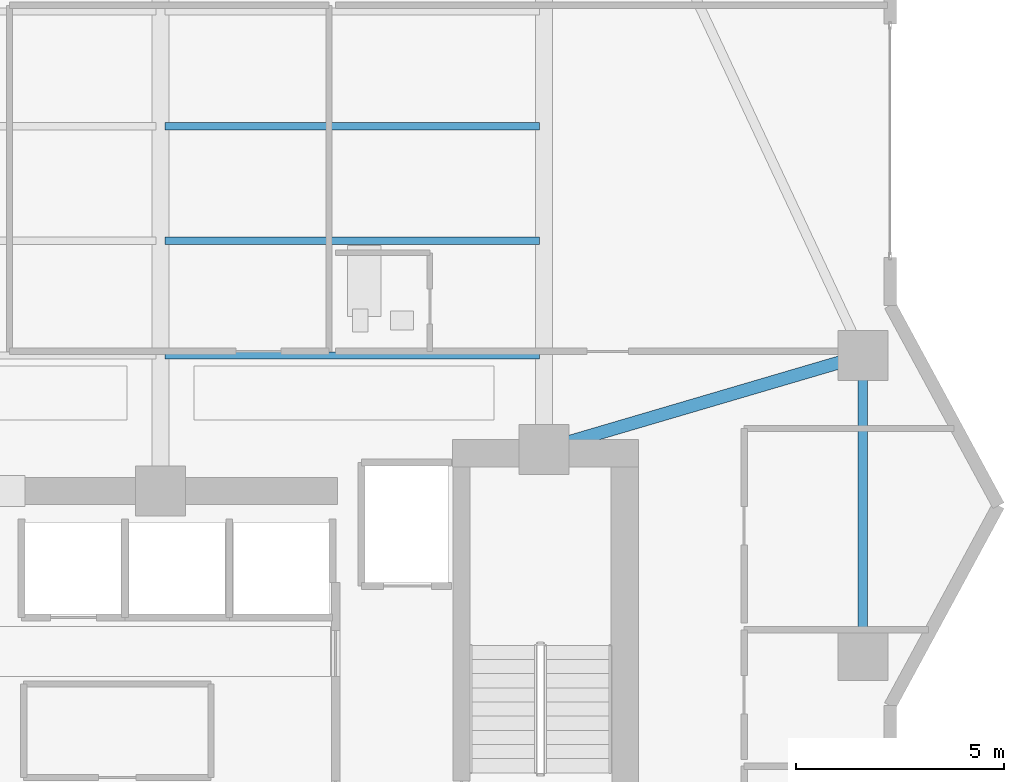
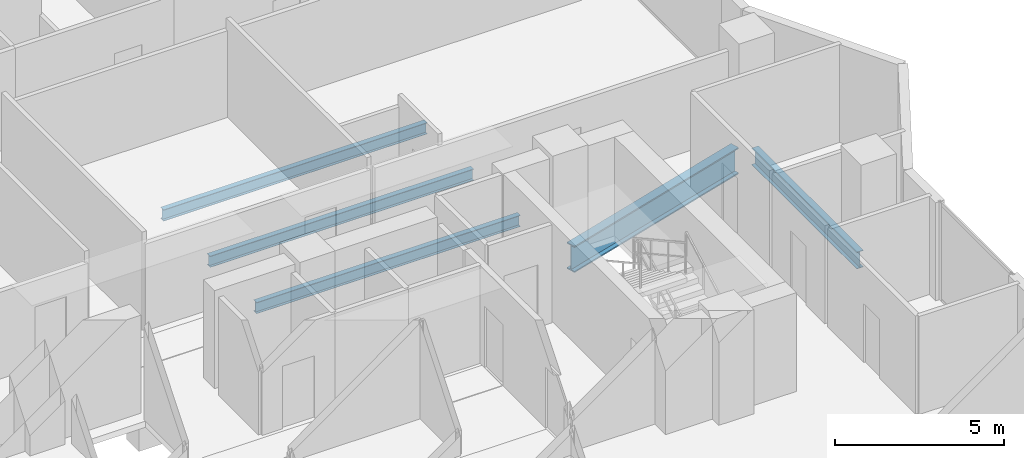
# One storey, part 15 of 32: 5 beams.
"""IFC4 building model written with IfcOpenShell, lengths in metres."""

import ifcopenshell
import ifcopenshell.guid

model = None  # the IFC model being written
_history = None  # IfcOwnerHistory: only IFC2X3 demands one
_inside = {}  # id of a spatial element -> (the spatial element, [elements in it])
_under = {}  # id of a project, library or spatial element -> (it, [spatial elements below it])
_declared = {}  # id of a project -> (the project, [libraries it declares])
_typed = {}  # id of a type object -> (the type object, [elements of that type])
_made_of = {}  # id of a material, layer set ... -> (it, [elements and type objects made of it])


def new_model(schema):
    """Start an empty IFC model of exactly this schema.

    Asked for "IFC4X3", IfcOpenShell would pick the latest addendum, in which some entities
    have other attributes; the version numbers below select the first issue.
    IFC2X3 requires an IfcOwnerHistory on every rooted entity: one is made here for all.
    """
    global model, _history
    if schema == "IFC4X3":
        model = ifcopenshell.file(schema_version=(4, 3, 0, 0))
    else:
        model = ifcopenshell.file(schema=schema)
    _inside.clear()
    _under.clear()
    _declared.clear()
    _typed.clear()
    _made_of.clear()
    _history = None
    if model.schema == "IFC2X3":
        org = make("IfcOrganization", Name="unknown")
        user = make(
            "IfcPersonAndOrganization",
            ThePerson=make("IfcPerson", FamilyName="unknown"),
            TheOrganization=org,
        )
        app = make(
            "IfcApplication",
            ApplicationDeveloper=org,
            Version="unknown",
            ApplicationFullName="unknown",
            ApplicationIdentifier="unknown",
        )
        _history = make(
            "IfcOwnerHistory",
            OwningUser=user,
            OwningApplication=app,
            ChangeAction="ADDED",
            CreationDate=0,
        )
    return model


def make(cls, **values):
    """One entity of the class cls with the attributes given. An attribute that is None is left unset."""
    return model.create_entity(
        cls, **{name: value for name, value in values.items() if value is not None}
    )


def rooted(cls, **values):
    """An entity with a GlobalId (a new one), such as an element, a storey or a relation."""
    return make(cls, GlobalId=ifcopenshell.guid.new(), OwnerHistory=_history, **values)


def si_unit(unit_type, name, prefix=None):
    """IfcSIUnit, for example si_unit("LENGTHUNIT", "METRE", prefix="MILLI")."""
    return make("IfcSIUnit", UnitType=unit_type, Prefix=prefix, Name=name)


def assignment(units):
    """IfcUnitAssignment: the units of a project."""
    return None if units is None else make("IfcUnitAssignment", Units=units)


def point(xyz):
    """IfcCartesianPoint."""
    return None if xyz is None else make("IfcCartesianPoint", Coordinates=xyz)


def direction(xyz):
    """IfcDirection."""
    return None if xyz is None else make("IfcDirection", DirectionRatios=xyz)


def frame(location, z_axis=None, x_axis=None):
    """IfcAxis2Placement3D, a coordinate frame: its origin and axes. An axis left out is left unset."""
    return make(
        "IfcAxis2Placement3D",
        Location=point(location),
        Axis=direction(z_axis),
        RefDirection=direction(x_axis),
    )


def frame_2d(location, x_axis=None):
    """IfcAxis2Placement2D, a coordinate frame in the plane: its origin and x axis."""
    return make(
        "IfcAxis2Placement2D", Location=point(location), RefDirection=direction(x_axis)
    )


def origin():
    """The frame at (0, 0, 0) with its axes left unset."""
    return frame((0.0, 0.0, 0.0))


def origin_2d():
    """The frame at (0, 0) in the plane with its x axis left unset."""
    return frame_2d((0.0, 0.0))


def place(relative_to, where):
    """IfcLocalPlacement: puts the frame where relative to a parent placement (None: the world)."""
    return make(
        "IfcLocalPlacement", PlacementRelTo=relative_to, RelativePlacement=where
    )


def context(
    kind, dimensions, precision=None, world=None, true_north=None, identifier=None
):
    """IfcGeometricRepresentationContext, for example the 3D "Model" context."""
    return make(
        "IfcGeometricRepresentationContext",
        ContextIdentifier=identifier,
        ContextType=kind,
        CoordinateSpaceDimension=dimensions,
        Precision=precision,
        WorldCoordinateSystem=world,
        TrueNorth=true_north,
    )


def subcontext(parent, identifier, kind, view, scale=None):
    """IfcGeometricRepresentationSubContext, for example "Body" below "Model"."""
    return make(
        "IfcGeometricRepresentationSubContext",
        ContextIdentifier=identifier,
        ContextType=kind,
        ParentContext=parent,
        TargetScale=scale,
        TargetView=view,
    )


def project(units=None, contexts=None):
    """IfcProject with its units and contexts."""
    return rooted(
        "IfcProject",
        Name="project",
        RepresentationContexts=contexts,
        UnitsInContext=assignment(units),
    )


def spatial(cls, under=None, at=None, **own):
    """A site, building, storey or space (cls), placed at a placement, below another one or the project."""
    s = rooted(cls, ObjectPlacement=at, **own)
    if under is not None:
        _under.setdefault(under.id(), (under, []))[1].append(s)
    return s


def profile(cls, at=None, kind="AREA", **sizes):
    """A parametric profile (cls). Its sizes go by their IFC names, for example OverallWidth=200.0."""
    return make(cls, ProfileType=kind, Position=at, **sizes)


def i_section(**sizes):
    """IfcIShapeProfileDef."""
    return profile("IfcIShapeProfileDef", **sizes)


def extrude(swept, where, along, depth):
    """IfcExtrudedAreaSolid: the profile swept, set in the frame where, extruded along a direction by depth."""
    return make(
        "IfcExtrudedAreaSolid",
        SweptArea=swept,
        Position=where,
        ExtrudedDirection=direction(along),
        Depth=depth,
    )


def shape(context_of_items, identifier, shape_type, items):
    """IfcShapeRepresentation: the items that make up one representation, for example the "Body"."""
    return make(
        "IfcShapeRepresentation",
        ContextOfItems=context_of_items,
        RepresentationIdentifier=identifier,
        RepresentationType=shape_type,
        Items=items,
    )


def material(Name=None, Category=None):
    """IfcMaterial."""
    return make("IfcMaterial", Name=Name, Category=Category)


def material_profile(
    of_material, cross_section, Name=None, Category=None, Priority=None
):
    """IfcMaterialProfile: a cross section and its material."""
    return make(
        "IfcMaterialProfile",
        Name=Name,
        Material=of_material,
        Profile=cross_section,
        Priority=Priority,
        Category=Category,
    )


def profile_set(profiles, Name=None, composite=None):
    """IfcMaterialProfileSet."""
    return make(
        "IfcMaterialProfileSet",
        Name=Name,
        MaterialProfiles=profiles,
        CompositeProfile=composite,
    )


def made_of(thing, what):
    """Note that an element or type object is made of a material, layer set ...; save() writes the relation."""
    if what is not None:
        _made_of.setdefault(what.id(), (what, []))[1].append(thing)
    return thing


def type_object(cls, material=None, **own):
    """A type object (cls), such as IfcWallType, which elements share."""
    return made_of(rooted(cls, **own), material)


def element(
    cls,
    number,
    at=None,
    inside=None,
    cuts=None,
    type_object=None,
    material=None,
    context=None,
    identifier="Body",
    shape_type=None,
    held_by="IfcProductDefinitionShape",
    body=None,
    shapes=None,
    **own,
):
    """One element of the class cls, such as IfcWall. Its Tag is "e" and its number.

    at: its placement. inside: the storey or other place that contains it. cuts: it is an
    opening in that element (IfcRelVoidsElement). A single representation is given by context,
    identifier, shape_type and body (its items); several are given by shapes. held_by: the class
    of the entity that holds the representations. save() writes the other relations.
    """
    e = rooted(cls, Tag="e%d" % number, ObjectPlacement=at, **own)
    if body is not None:
        shapes = [shape(context, identifier, shape_type, body)]
    if shapes is not None:
        e.Representation = make(held_by, Representations=shapes)
    if inside is not None:
        _inside.setdefault(inside.id(), (inside, []))[1].append(e)
    if cuts is not None:
        rooted(
            "IfcRelVoidsElement", RelatingBuildingElement=cuts, RelatedOpeningElement=e
        )
    if type_object is not None:
        _typed.setdefault(type_object.id(), (type_object, []))[1].append(e)
    return made_of(e, material)


def aggregate(whole, parts):
    """IfcRelAggregates: a whole, such as a stair, and the parts it consists of."""
    return rooted("IfcRelAggregates", RelatingObject=whole, RelatedObjects=parts)


def save(model, path):
    """Write the relations noted so far, then the file.

    IfcRelAggregates (storeys below a building ...), IfcRelContainedInSpatialStructure (elements
    in a storey), IfcRelDefinesByType, IfcRelAssociatesMaterial and IfcRelDeclares: one each for
    every whole, place, type object, material and project.
    """
    for whole, parts in _under.values():
        aggregate(whole, parts)
    for where, things in _inside.values():
        rooted(
            "IfcRelContainedInSpatialStructure",
            RelatedElements=things,
            RelatingStructure=where,
        )
    for kind, things in _typed.values():
        rooted("IfcRelDefinesByType", RelatedObjects=things, RelatingType=kind)
    for what, things in _made_of.values():
        rooted("IfcRelAssociatesMaterial", RelatedObjects=things, RelatingMaterial=what)
    for by, libraries in _declared.values():
        rooted("IfcRelDeclares", RelatingContext=by, RelatedDefinitions=libraries)
    model.write(path)


model = new_model("IFC4")

# Units and contexts
model_context = context("Model", 3, precision=1e-05, world=origin(), true_north=direction((0.0, 1.0)))
body_context = subcontext(model_context, "Body", "Model", "MODEL_VIEW")
ifc_project = project(units=[si_unit("LENGTHUNIT", "METRE"), si_unit("AREAUNIT", "SQUARE_METRE"), si_unit("VOLUMEUNIT", "CUBIC_METRE"), si_unit("PLANEANGLEUNIT", "RADIAN"), si_unit("MASSUNIT", "GRAM", prefix="KILO")], contexts=[model_context])

# Site, building, storey
site_placement = place(None, origin())
site = spatial("IfcSite", under=ifc_project, at=site_placement, CompositionType="ELEMENT")
building_placement = place(site_placement, origin())
building = spatial("IfcBuilding", under=site, at=building_placement, Name="Zuhayl Quay Hotel", CompositionType="ELEMENT")
storey_placement = place(building_placement, frame((0.0, 0.0, 203.64990234375)))
storey = spatial("IfcBuildingStorey", under=building, at=storey_placement, Name="L51", CompositionType="ELEMENT", Elevation=203.64990234375)

# Beams
ifc_material = material(Name="Steel ASTM A992 Grade 50", Category="steel")
ifc_material_profile_1 = material_profile(ifc_material, i_section(OverallWidth=0.22802734375, OverallDepth=0.60693359375, WebThickness=0.01123046875, FlangeThickness=0.017333984375, at=origin_2d()), Name="W24X76")
ifc_profile_set_1 = profile_set([ifc_material_profile_1], Name="Steel ASTM A992 Grade 50")
beam_type_1 = type_object("IfcBeamType", Name="BM_B3_W24X76", PredefinedType="BEAM", material=ifc_profile_set_1)
beam_1_placement = place(storey_placement, frame((21.449951171875, 9.89990234375, -0.5234375), z_axis=(0.0, 1.0, 0.0), x_axis=(-1.0, 0.0, 0.0)))
element("IfcBeam", 1, at=beam_1_placement, inside=storey, type_object=beam_type_1, Name="L51 Floor Beam RG_L51_05", PredefinedType="BEAM", context=body_context, shape_type="SweptSolid", body=[
    extrude(i_section(OverallWidth=0.22802734375, OverallDepth=0.60693359375, WebThickness=0.01123046875, FlangeThickness=0.017333984375, at=origin_2d()), origin(), (0.0, 0.0, 1.0), 6.2001953125),
])
ifc_material_profile_2 = material_profile(ifc_material, i_section(OverallWidth=0.177978515625, OverallDepth=0.406005859375, WebThickness=0.0078125, FlangeThickness=0.0126953125, at=origin_2d()), Name="W16X40")
ifc_profile_set_2 = profile_set([ifc_material_profile_2], Name="Steel ASTM A992 Grade 50")
beam_type_2 = type_object("IfcBeamType", Name="BM_J2B_W16X40", PredefinedType="JOIST", material=ifc_profile_set_2)
for number, where, z_axis, x_axis, name in (
    (2, (4.7060546875, 16.60009765625, -0.4228515625), (1.0, 0.0, 0.0), (0.0, 1.0, 0.0), "L51 Floor Beam FJ_L51_1_3"),
    (3, (4.7060546875, 19.35009765625, -0.4228515625), (1.0, 0.0, 0.0), (0.0, 1.0, 0.0), "L51 Floor Beam FJ_L51_2_3"),
    (4, (4.7060546875, 22.10009765625, -0.4228515625), (1.0, 0.0, 0.0), (0.0, 1.0, 0.0), "L51 Floor Beam FJ_L51_3_3"),
):
    element("IfcBeam", number, at=place(storey_placement, frame(where, z_axis=z_axis, x_axis=x_axis)), inside=storey, type_object=beam_type_2, Name=name, PredefinedType="JOIST", context=body_context, shape_type="SweptSolid", body=[
        extrude(i_section(OverallWidth=0.177978515625, OverallDepth=0.406005859375, WebThickness=0.0078125, FlangeThickness=0.0126953125, at=origin_2d()), origin(), (0.0, 0.0, 1.0), 8.988037109375),
    ])
ifc_material_profile_3 = material_profile(ifc_material, i_section(OverallWidth=0.31005859375, OverallDepth=0.949951171875, WebThickness=0.0244140625, FlangeThickness=0.0439453125, at=origin_2d()), Name="W36X256")
ifc_profile_set_3 = profile_set([ifc_material_profile_3], Name="Steel ASTM A992 Grade 50")
beam_type_3 = type_object("IfcBeamType", Name="BM_PG1_W36X256", PredefinedType="BEAM", material=ifc_profile_set_3)
beam_2_placement = place(storey_placement, frame((14.231689453125, 14.47705078125, -0.69482421875), z_axis=(0.959364948093, 0.282168205812, 0.0), x_axis=(-0.282168205812, 0.959364948093, 0.0)))
element("IfcBeam", 5, at=beam_2_placement, inside=storey, type_object=beam_type_3, Name="L51 Floor Beam FG_E_L51_2", PredefinedType="BEAM", context=body_context, shape_type="SweptSolid", body=[
    extrude(i_section(OverallWidth=0.31005859375, OverallDepth=0.949951171875, WebThickness=0.0244140625, FlangeThickness=0.0439453125, at=origin_2d()), origin(), (0.0, 0.0, 1.0), 7.02392578125),
])

save(model, "model.ifc")
